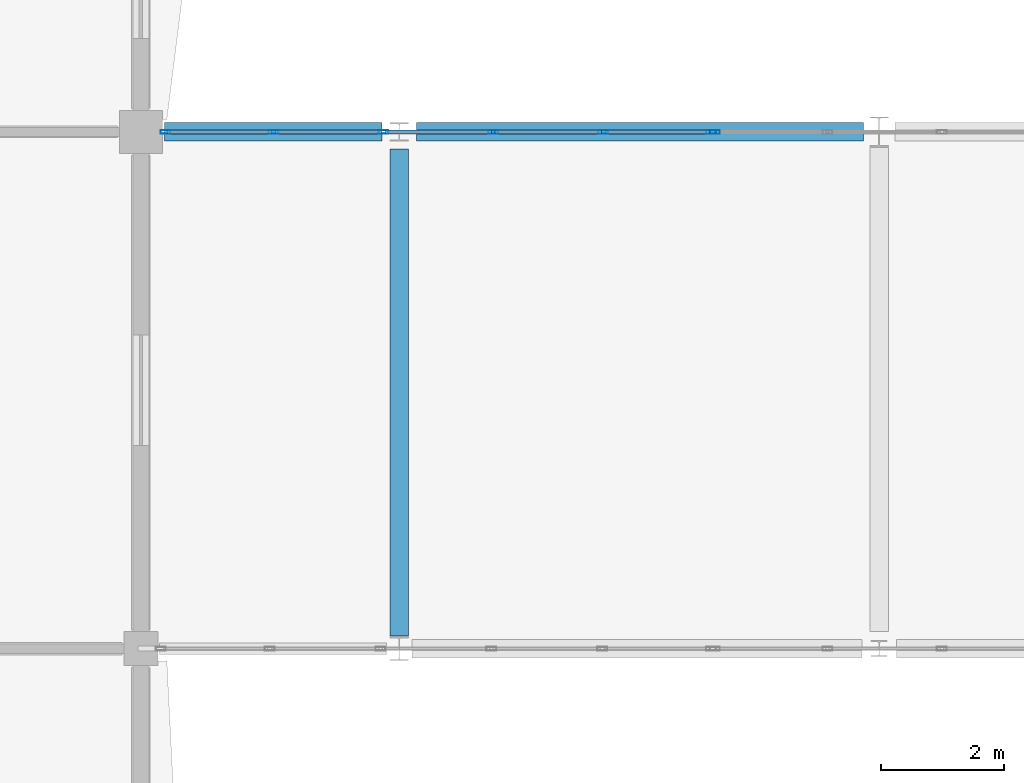
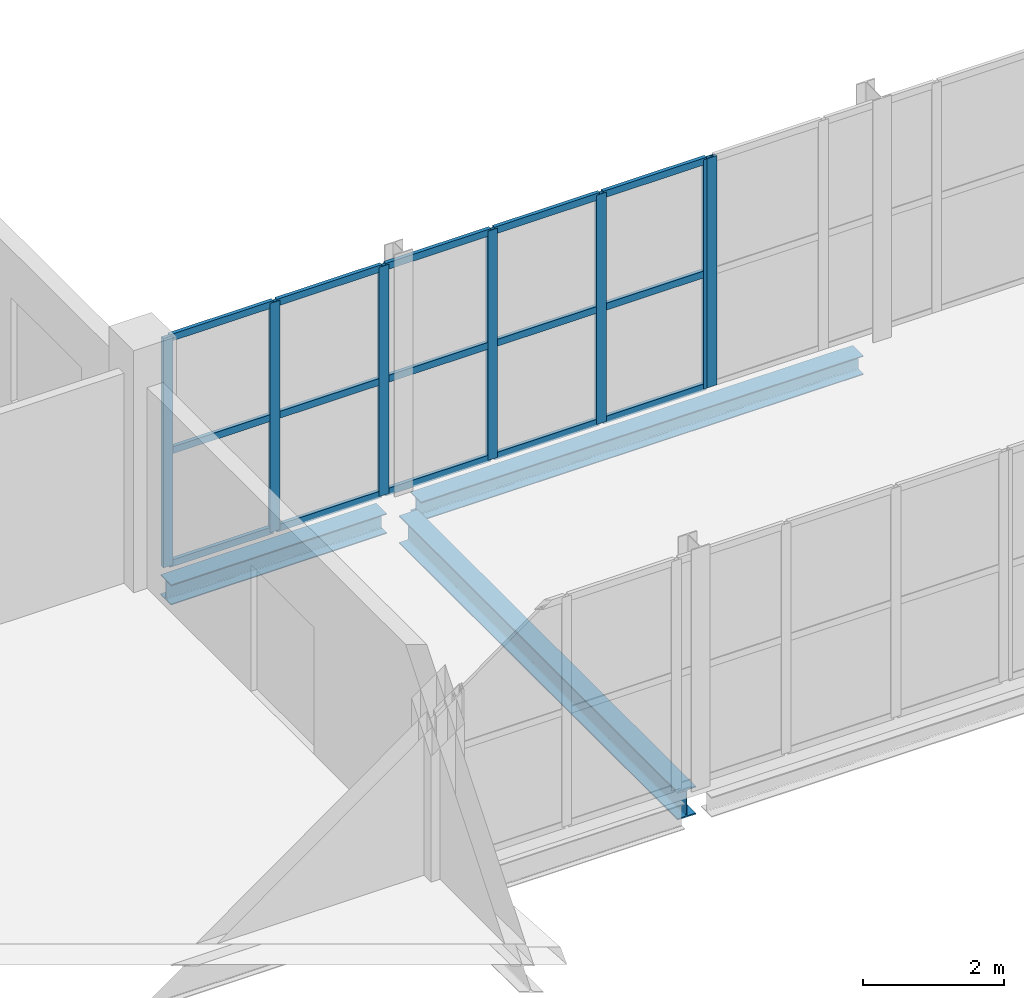
# One storey, part 59 of 121: 22 members, 3 beams, 2 elements without a shape of their own.
"""IFC4 building model written with IfcOpenShell, lengths in metres."""

from ifc_helpers import new_model, si_unit, direction, frame, origin, origin_2d, place, context, subcontext, project, spatial, hollow_rectangle, i_section, extrude, material, layer, layer_set, material_profile, profile_set, type_object, element, aggregate, save


model = new_model("IFC4")

# Units and contexts
model_context = context("Model", 3, precision=1e-05, world=origin(), true_north=direction((0.0, 1.0)))
body_context = subcontext(model_context, "Body", "Model", "MODEL_VIEW")
ifc_project = project(units=[si_unit("LENGTHUNIT", "METRE"), si_unit("AREAUNIT", "SQUARE_METRE"), si_unit("VOLUMEUNIT", "CUBIC_METRE"), si_unit("PLANEANGLEUNIT", "RADIAN"), si_unit("MASSUNIT", "GRAM", prefix="KILO")], contexts=[model_context])

# Site, building, storey
site_placement = place(None, origin())
site = spatial("IfcSite", under=ifc_project, at=site_placement, CompositionType="ELEMENT")
building_placement = place(site_placement, origin())
building = spatial("IfcBuilding", under=site, at=building_placement, Name="Vinh Khe Railworks Police Headquarters", CompositionType="ELEMENT")
storey_placement = place(building_placement, frame((0.0, 0.0, 4.800048828125)))
storey = spatial("IfcBuildingStorey", under=building, at=storey_placement, Name="L01", CompositionType="ELEMENT", Elevation=4.800048828125)

# Curtain wall, members
ifc_material_1 = material(Name="Anodised aluminium and solar-control glass", Category="aluminium")
ifc_layer = layer(ifc_material_1, 0.159912109375)
ifc_layer_set = layer_set([ifc_layer], Name="Anodised aluminium and solar-control glass")
curtain_wall_type = type_object("IfcCurtainWallType", Name="CW-SHOPFRONT", PredefinedType="USERDEFINED", material=ifc_layer_set)
curtain_wall_1_placement = place(storey_placement, origin())
curtain_wall_1 = element("IfcCurtainWall", 1, at=curtain_wall_1_placement, inside=storey, type_object=curtain_wall_type, Name="Link Bridge North Glazing L01 Bay 1", ObjectType="UNITISED GLAZING", PredefinedType="USERDEFINED")
ifc_material_2 = material(Name="Anodised aluminium 6063-T6", Category="aluminium")
ifc_material_profile_1 = material_profile(ifc_material_2, hollow_rectangle(XDim=0.06005859375, YDim=0.159912109375, WallThickness=0.00390625, at=origin_2d()), Name="CW-M 60x160x4")
ifc_profile_set_1 = profile_set([ifc_material_profile_1], Name="Anodised aluminium 6063-T6")
member_type_1 = type_object("IfcMemberType", Name="MULL-CWM-01", PredefinedType="MULLION", material=ifc_profile_set_1)
member_1_placement = place(storey_placement, frame((22.60009765625, 104.39990234375, 0.0), z_axis=(0.0, 0.0, 1.0), x_axis=(0.0, 1.0, 0.0)))
member_1 = element("IfcMember", 2, at=member_1_placement, type_object=member_type_1, Name="CW-03 mullion 1", PredefinedType="MULLION", context=body_context, shape_type="SweptSolid", body=[
    extrude(hollow_rectangle(XDim=0.06005859375, YDim=0.159912109375, WallThickness=0.00390625, at=origin_2d()), origin(), (0.0, 0.0, 1.0), 3.97998046875),
])
member_2_placement = place(storey_placement, frame((24.35595703125, 104.39990234375, 0.0), z_axis=(0.0, 0.0, 1.0), x_axis=(0.0, 1.0, 0.0)))
member_2 = element("IfcMember", 3, at=member_2_placement, type_object=member_type_1, Name="CW-03 mullion 2", PredefinedType="MULLION", context=body_context, shape_type="SweptSolid", body=[
    extrude(hollow_rectangle(XDim=0.06005859375, YDim=0.159912109375, WallThickness=0.00390625, at=origin_2d()), origin(), (0.0, 0.0, 1.0), 3.97998046875),
])
member_3_placement = place(storey_placement, frame((26.14208984375, 104.39990234375, 0.0), z_axis=(0.0, 0.0, 1.0), x_axis=(0.0, 1.0, 0.0)))
member_3 = element("IfcMember", 4, at=member_3_placement, type_object=member_type_1, Name="CW-03 mullion 3", PredefinedType="MULLION", context=body_context, shape_type="SweptSolid", body=[
    extrude(hollow_rectangle(XDim=0.06005859375, YDim=0.159912109375, WallThickness=0.00390625, at=origin_2d()), origin(), (0.0, 0.0, 1.0), 3.97998046875),
])
member_4_placement = place(storey_placement, frame((27.927978515625, 104.39990234375, 0.0), z_axis=(0.0, 0.0, 1.0), x_axis=(0.0, 1.0, 0.0)))
member_4 = element("IfcMember", 5, at=member_4_placement, type_object=member_type_1, Name="CW-03 mullion 4", PredefinedType="MULLION", context=body_context, shape_type="SweptSolid", body=[
    extrude(hollow_rectangle(XDim=0.06005859375, YDim=0.159912109375, WallThickness=0.00390625, at=origin_2d()), origin(), (0.0, 0.0, 1.0), 3.97998046875),
])
member_5_placement = place(storey_placement, frame((29.714111328125, 104.39990234375, 0.0), z_axis=(0.0, 0.0, 1.0), x_axis=(0.0, 1.0, 0.0)))
member_5 = element("IfcMember", 6, at=member_5_placement, type_object=member_type_1, Name="CW-03 mullion 5", PredefinedType="MULLION", context=body_context, shape_type="SweptSolid", body=[
    extrude(hollow_rectangle(XDim=0.06005859375, YDim=0.159912109375, WallThickness=0.00390625, at=origin_2d()), origin(), (0.0, 0.0, 1.0), 3.97998046875),
])
member_6_placement = place(storey_placement, frame((31.469970703125, 104.39990234375, 0.0), z_axis=(0.0, 0.0, 1.0), x_axis=(0.0, 1.0, 0.0)))
member_6 = element("IfcMember", 7, at=member_6_placement, type_object=member_type_1, Name="CW-03 mullion 6", PredefinedType="MULLION", context=body_context, shape_type="SweptSolid", body=[
    extrude(hollow_rectangle(XDim=0.06005859375, YDim=0.159912109375, WallThickness=0.00390625, at=origin_2d()), origin(), (0.0, 0.0, 1.0), 3.97998046875),
])

# Curtain wall, member
curtain_wall_2_placement = place(storey_placement, origin())
curtain_wall_2 = element("IfcCurtainWall", 8, at=curtain_wall_2_placement, inside=storey, type_object=curtain_wall_type, Name="Link Bridge North Glazing L01 Bay 2", ObjectType="UNITISED GLAZING", PredefinedType="USERDEFINED")
member_7_placement = place(storey_placement, frame((31.530029296875, 104.39990234375, 0.0), z_axis=(0.0, 0.0, 1.0), x_axis=(0.0, 1.0, 0.0)))
member_7 = element("IfcMember", 9, at=member_7_placement, type_object=member_type_1, Name="CW-03 mullion 1", PredefinedType="MULLION", context=body_context, shape_type="SweptSolid", body=[
    extrude(hollow_rectangle(XDim=0.06005859375, YDim=0.159912109375, WallThickness=0.00390625, at=origin_2d()), origin(), (0.0, 0.0, 1.0), 3.97998046875),
])
aggregate(curtain_wall_2, [member_7])

# Beams
ifc_material_3 = material(Name="Steel S355JR", Category="steel")
ifc_material_profile_2 = material_profile(ifc_material_3, i_section(OverallWidth=0.300048828125, OverallDepth=0.330078125, WebThickness=0.009521484375, FlangeThickness=0.0166015625, FilletRadius=0.027099609375, at=origin_2d()), Name="HEA 340")
ifc_profile_set_2 = profile_set([ifc_material_profile_2], Name="Steel S355JR")
beam_type_1 = type_object("IfcBeamType", Name="Steel Girder HEA 340", PredefinedType="BEAM", material=ifc_profile_set_2)
beam_1_placement = place(storey_placement, frame((26.679931640625, 104.39990234375, -0.405029296875), z_axis=(1.0, 0.0, 0.0), x_axis=(0.0, 1.0, 0.0)))
element("IfcBeam", 10, at=beam_1_placement, inside=storey, type_object=beam_type_1, Name="Girder BM-L01-EW-SB-16-0494", PredefinedType="BEAM", context=body_context, shape_type="SweptSolid", body=[
    extrude(i_section(OverallWidth=0.300048828125, OverallDepth=0.330078125, WebThickness=0.009521484375, FlangeThickness=0.0166015625, FilletRadius=0.027099609375, at=origin_2d()), origin(), (0.0, 0.0, 1.0), 7.26513671875),
])
ifc_material_profile_3 = material_profile(ifc_material_3, i_section(OverallWidth=0.300048828125, OverallDepth=0.35009765625, WebThickness=0.010009765625, FlangeThickness=0.017578125, FilletRadius=0.027099609375, at=origin_2d()), Name="HEA 360")
ifc_profile_set_3 = profile_set([ifc_material_profile_3], Name="Steel S355JR")
beam_type_2 = type_object("IfcBeamType", Name="Steel Girder HEA 360", PredefinedType="BEAM", material=ifc_profile_set_3)
beam_2_placement = place(storey_placement, frame((22.580078125, 104.39990234375, -0.4150390625), z_axis=(1.0, 0.0, 0.0), x_axis=(0.0, 1.0, 0.0)))
element("IfcBeam", 11, at=beam_2_placement, inside=storey, type_object=beam_type_2, Name="Girder BM-L01-EW-SB-15-0493", PredefinedType="BEAM", context=body_context, shape_type="SweptSolid", body=[
    extrude(i_section(OverallWidth=0.300048828125, OverallDepth=0.35009765625, WebThickness=0.010009765625, FlangeThickness=0.017578125, FilletRadius=0.027099609375, at=origin_2d()), origin(), (0.0, 0.0, 1.0), 3.5400390625),
])
ifc_material_profile_4 = material_profile(ifc_material_3, i_section(OverallWidth=0.300048828125, OverallDepth=0.489990234375, WebThickness=0.011962890625, FlangeThickness=0.02294921875, FilletRadius=0.027099609375, at=origin_2d()), Name="HEA 500")
ifc_profile_set_4 = profile_set([ifc_material_profile_4], Name="Steel S355JR")
beam_type_3 = type_object("IfcBeamType", Name="Steel Girder HEA 500", PredefinedType="BEAM", material=ifc_profile_set_4)
beam_3_placement = place(storey_placement, frame((26.39990234375, 96.205078125, -0.485107421875), z_axis=(0.0, 1.0, 0.0), x_axis=(-1.0, 0.0, 0.0)))
element("IfcBeam", 12, at=beam_3_placement, inside=storey, type_object=beam_type_3, Name="Girder BM-L01-NS-SB-12-0639", PredefinedType="BEAM", context=body_context, shape_type="SweptSolid", body=[
    extrude(i_section(OverallWidth=0.300048828125, OverallDepth=0.489990234375, WebThickness=0.011962890625, FlangeThickness=0.02294921875, FilletRadius=0.027099609375, at=origin_2d()), origin(), (0.0, 0.0, 1.0), 7.9150390625),
])

# Member
ifc_material_profile_5 = material_profile(ifc_material_2, hollow_rectangle(XDim=0.06005859375, YDim=0.1201171875, WallThickness=0.00390625, at=origin_2d()), Name="CW-T 60x120x4")
ifc_profile_set_5 = profile_set([ifc_material_profile_5], Name="Anodised aluminium 6063-T6")
member_type_2 = type_object("IfcMemberType", Name="TRAN-CWT-01", PredefinedType="USERDEFINED", material=ifc_profile_set_5)
member_8_placement = place(storey_placement, frame((22.6298828125, 104.39990234375, 0.030029296875), z_axis=(1.0, 0.0, 0.0), x_axis=(0.0, 1.0, 0.0)))
member_8 = element("IfcMember", 13, at=member_8_placement, type_object=member_type_2, Name="CW-03 transom 1.1", ObjectType="TRANSOM", PredefinedType="USERDEFINED", context=body_context, shape_type="SweptSolid", body=[
    extrude(hollow_rectangle(XDim=0.06005859375, YDim=0.1201171875, WallThickness=0.00390625, at=origin_2d()), origin(), (0.0, 0.0, 1.0), 1.696044921875),
])

member_9_placement = place(storey_placement, frame((22.6298828125, 104.39990234375, 1.989990234375), z_axis=(1.0, 0.0, 0.0), x_axis=(0.0, 1.0, 0.0)))
member_9 = element("IfcMember", 14, at=member_9_placement, type_object=member_type_2, Name="CW-03 transom 1.2", ObjectType="TRANSOM", PredefinedType="USERDEFINED", context=body_context, shape_type="SweptSolid", body=[
    extrude(hollow_rectangle(XDim=0.06005859375, YDim=0.1201171875, WallThickness=0.00390625, at=origin_2d()), origin(), (0.0, 0.0, 1.0), 1.696044921875),
])

member_10_placement = place(storey_placement, frame((22.6298828125, 104.39990234375, 3.949951171875), z_axis=(1.0, 0.0, 0.0), x_axis=(0.0, 1.0, 0.0)))
member_10 = element("IfcMember", 15, at=member_10_placement, type_object=member_type_2, Name="CW-03 transom 1.3", ObjectType="TRANSOM", PredefinedType="USERDEFINED", context=body_context, shape_type="SweptSolid", body=[
    extrude(hollow_rectangle(XDim=0.06005859375, YDim=0.1201171875, WallThickness=0.00390625, at=origin_2d()), origin(), (0.0, 0.0, 1.0), 1.696044921875),
])

member_11_placement = place(storey_placement, frame((24.385986328125, 104.39990234375, 0.030029296875), z_axis=(1.0, 0.0, 0.0), x_axis=(0.0, 1.0, 0.0)))
member_11 = element("IfcMember", 16, at=member_11_placement, type_object=member_type_2, Name="CW-03 transom 2.1", ObjectType="TRANSOM", PredefinedType="USERDEFINED", context=body_context, shape_type="SweptSolid", body=[
    extrude(hollow_rectangle(XDim=0.06005859375, YDim=0.1201171875, WallThickness=0.00390625, at=origin_2d()), origin(), (0.0, 0.0, 1.0), 1.72607421875),
])

member_12_placement = place(storey_placement, frame((24.385986328125, 104.39990234375, 1.989990234375), z_axis=(1.0, 0.0, 0.0), x_axis=(0.0, 1.0, 0.0)))
member_12 = element("IfcMember", 17, at=member_12_placement, type_object=member_type_2, Name="CW-03 transom 2.2", ObjectType="TRANSOM", PredefinedType="USERDEFINED", context=body_context, shape_type="SweptSolid", body=[
    extrude(hollow_rectangle(XDim=0.06005859375, YDim=0.1201171875, WallThickness=0.00390625, at=origin_2d()), origin(), (0.0, 0.0, 1.0), 1.72607421875),
])

member_13_placement = place(storey_placement, frame((24.385986328125, 104.39990234375, 3.949951171875), z_axis=(1.0, 0.0, 0.0), x_axis=(0.0, 1.0, 0.0)))
member_13 = element("IfcMember", 18, at=member_13_placement, type_object=member_type_2, Name="CW-03 transom 2.3", ObjectType="TRANSOM", PredefinedType="USERDEFINED", context=body_context, shape_type="SweptSolid", body=[
    extrude(hollow_rectangle(XDim=0.06005859375, YDim=0.1201171875, WallThickness=0.00390625, at=origin_2d()), origin(), (0.0, 0.0, 1.0), 1.72607421875),
])

member_14_placement = place(storey_placement, frame((26.172119140625, 104.39990234375, 0.030029296875), z_axis=(1.0, 0.0, 0.0), x_axis=(0.0, 1.0, 0.0)))
member_14 = element("IfcMember", 19, at=member_14_placement, type_object=member_type_2, Name="CW-03 transom 3.1", ObjectType="TRANSOM", PredefinedType="USERDEFINED", context=body_context, shape_type="SweptSolid", body=[
    extrude(hollow_rectangle(XDim=0.06005859375, YDim=0.1201171875, WallThickness=0.00390625, at=origin_2d()), origin(), (0.0, 0.0, 1.0), 1.725830078125),
])

member_15_placement = place(storey_placement, frame((26.172119140625, 104.39990234375, 1.989990234375), z_axis=(1.0, 0.0, 0.0), x_axis=(0.0, 1.0, 0.0)))
member_15 = element("IfcMember", 20, at=member_15_placement, type_object=member_type_2, Name="CW-03 transom 3.2", ObjectType="TRANSOM", PredefinedType="USERDEFINED", context=body_context, shape_type="SweptSolid", body=[
    extrude(hollow_rectangle(XDim=0.06005859375, YDim=0.1201171875, WallThickness=0.00390625, at=origin_2d()), origin(), (0.0, 0.0, 1.0), 1.725830078125),
])

member_16_placement = place(storey_placement, frame((26.172119140625, 104.39990234375, 3.949951171875), z_axis=(1.0, 0.0, 0.0), x_axis=(0.0, 1.0, 0.0)))
member_16 = element("IfcMember", 21, at=member_16_placement, type_object=member_type_2, Name="CW-03 transom 3.3", ObjectType="TRANSOM", PredefinedType="USERDEFINED", context=body_context, shape_type="SweptSolid", body=[
    extrude(hollow_rectangle(XDim=0.06005859375, YDim=0.1201171875, WallThickness=0.00390625, at=origin_2d()), origin(), (0.0, 0.0, 1.0), 1.725830078125),
])

member_17_placement = place(storey_placement, frame((27.9580078125, 104.39990234375, 0.030029296875), z_axis=(1.0, 0.0, 0.0), x_axis=(0.0, 1.0, 0.0)))
member_17 = element("IfcMember", 22, at=member_17_placement, type_object=member_type_2, Name="CW-03 transom 4.1", ObjectType="TRANSOM", PredefinedType="USERDEFINED", context=body_context, shape_type="SweptSolid", body=[
    extrude(hollow_rectangle(XDim=0.06005859375, YDim=0.1201171875, WallThickness=0.00390625, at=origin_2d()), origin(), (0.0, 0.0, 1.0), 1.72607421875),
])

member_18_placement = place(storey_placement, frame((27.9580078125, 104.39990234375, 1.989990234375), z_axis=(1.0, 0.0, 0.0), x_axis=(0.0, 1.0, 0.0)))
member_18 = element("IfcMember", 23, at=member_18_placement, type_object=member_type_2, Name="CW-03 transom 4.2", ObjectType="TRANSOM", PredefinedType="USERDEFINED", context=body_context, shape_type="SweptSolid", body=[
    extrude(hollow_rectangle(XDim=0.06005859375, YDim=0.1201171875, WallThickness=0.00390625, at=origin_2d()), origin(), (0.0, 0.0, 1.0), 1.72607421875),
])

member_19_placement = place(storey_placement, frame((27.9580078125, 104.39990234375, 3.949951171875), z_axis=(1.0, 0.0, 0.0), x_axis=(0.0, 1.0, 0.0)))
member_19 = element("IfcMember", 24, at=member_19_placement, type_object=member_type_2, Name="CW-03 transom 4.3", ObjectType="TRANSOM", PredefinedType="USERDEFINED", context=body_context, shape_type="SweptSolid", body=[
    extrude(hollow_rectangle(XDim=0.06005859375, YDim=0.1201171875, WallThickness=0.00390625, at=origin_2d()), origin(), (0.0, 0.0, 1.0), 1.72607421875),
])

member_20_placement = place(storey_placement, frame((29.743896484375, 104.39990234375, 0.030029296875), z_axis=(1.0, 0.0, 0.0), x_axis=(0.0, 1.0, 0.0)))
member_20 = element("IfcMember", 25, at=member_20_placement, type_object=member_type_2, Name="CW-03 transom 5.1", ObjectType="TRANSOM", PredefinedType="USERDEFINED", context=body_context, shape_type="SweptSolid", body=[
    extrude(hollow_rectangle(XDim=0.06005859375, YDim=0.1201171875, WallThickness=0.00390625, at=origin_2d()), origin(), (0.0, 0.0, 1.0), 1.696044921875),
])

member_21_placement = place(storey_placement, frame((29.743896484375, 104.39990234375, 1.989990234375), z_axis=(1.0, 0.0, 0.0), x_axis=(0.0, 1.0, 0.0)))
member_21 = element("IfcMember", 26, at=member_21_placement, type_object=member_type_2, Name="CW-03 transom 5.2", ObjectType="TRANSOM", PredefinedType="USERDEFINED", context=body_context, shape_type="SweptSolid", body=[
    extrude(hollow_rectangle(XDim=0.06005859375, YDim=0.1201171875, WallThickness=0.00390625, at=origin_2d()), origin(), (0.0, 0.0, 1.0), 1.696044921875),
])

member_22_placement = place(storey_placement, frame((29.743896484375, 104.39990234375, 3.949951171875), z_axis=(1.0, 0.0, 0.0), x_axis=(0.0, 1.0, 0.0)))
member_22 = element("IfcMember", 27, at=member_22_placement, type_object=member_type_2, Name="CW-03 transom 5.3", ObjectType="TRANSOM", PredefinedType="USERDEFINED", context=body_context, shape_type="SweptSolid", body=[
    extrude(hollow_rectangle(XDim=0.06005859375, YDim=0.1201171875, WallThickness=0.00390625, at=origin_2d()), origin(), (0.0, 0.0, 1.0), 1.696044921875),
])

aggregate(curtain_wall_1, [member_1, member_2, member_3, member_4, member_5, member_6, member_8, member_9, member_10, member_11, member_12, member_13, member_14, member_15, member_16, member_17, member_18, member_19, member_20, member_21, member_22])

save(model, "model.ifc")
